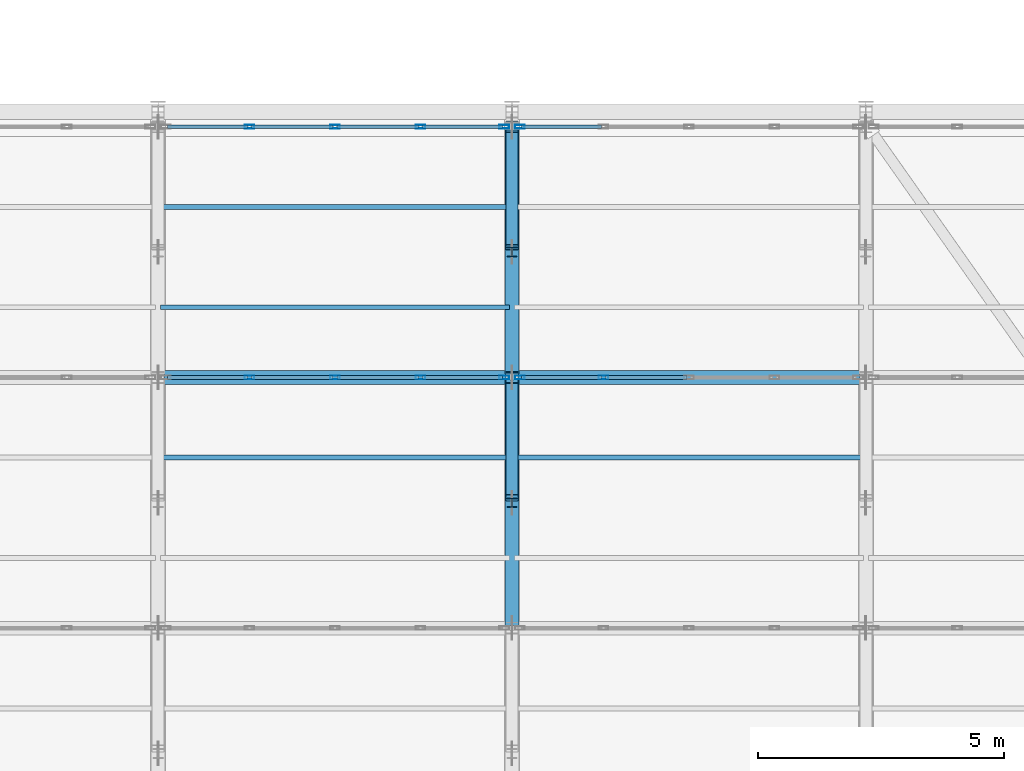
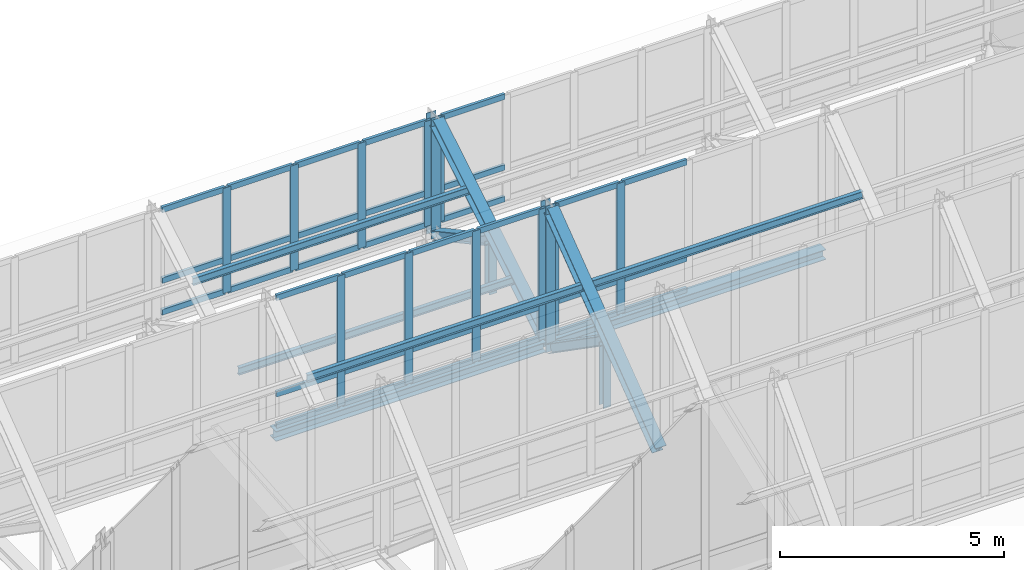
# One storey, part 68 of 157: 56 members, 2 beams, 4 elements without a shape of their own.
"""IFC4 building model written with IfcOpenShell, lengths in metres."""

from ifc_helpers import new_model, si_unit, direction, frame, origin, origin_2d, place, context, subcontext, project, spatial, hollow_rectangle, i_section, extrude, material, material_profile, profile_set, type_object, element, aggregate, save


model = new_model("IFC4")

# Units and contexts
model_context = context("Model", 3, precision=1e-05, world=origin(), true_north=direction((0.0, 1.0)))
body_context = subcontext(model_context, "Body", "Model", "MODEL_VIEW")
ifc_project = project(units=[si_unit("LENGTHUNIT", "METRE"), si_unit("AREAUNIT", "SQUARE_METRE"), si_unit("VOLUMEUNIT", "CUBIC_METRE"), si_unit("PLANEANGLEUNIT", "RADIAN"), si_unit("MASSUNIT", "GRAM", prefix="KILO")], contexts=[model_context])

# Site, building, storey
site_placement = place(None, origin())
site = spatial("IfcSite", under=ifc_project, at=site_placement, CompositionType="ELEMENT")
building_placement = place(site_placement, origin())
building = spatial("IfcBuilding", under=site, at=building_placement, Name="Suanplinth Sawtooth Commons", CompositionType="ELEMENT")
storey_placement = place(building_placement, frame((0.0, 0.0, 9.0)))
storey = spatial("IfcBuildingStorey", under=building, at=storey_placement, Name="L02", CompositionType="ELEMENT", Elevation=9.0)

# Beams
ifc_material_1 = material(Name="Steel S355JR", Category="steel")
ifc_material_profile_1 = material_profile(ifc_material_1, i_section(OverallWidth=0.280029296875, OverallDepth=0.27001953125, WebThickness=0.008056640625, FlangeThickness=0.012939453125, at=origin_2d()), Name="HEA 280")
ifc_profile_set_1 = profile_set([ifc_material_profile_1], Name="Steel S355JR")
beam_type = type_object("IfcBeamType", Name="B-16", PredefinedType="USERDEFINED", material=ifc_profile_set_1)
for number, where, z_axis, x_axis, name in (
    (1, (93.719970703125, 81.0, 2.820068359375), (1.0, 0.0, 0.0), (0.0, 1.0, 0.0), "Sawtooth Valley Girder T7-B5"),
    (2, (100.919921875, 81.0, 2.820068359375), (1.0, 0.0, 0.0), (0.0, 1.0, 0.0), "Sawtooth Valley Girder T7-B6"),
):
    element("IfcBeam", number, at=place(storey_placement, frame(where, z_axis=z_axis, x_axis=x_axis)), inside=storey, type_object=beam_type, Name=name, ObjectType="GIRDER", PredefinedType="USERDEFINED", context=body_context, shape_type="SweptSolid", body=[
        extrude(i_section(OverallWidth=0.280029296875, OverallDepth=0.27001953125, WebThickness=0.008056640625, FlangeThickness=0.012939453125, at=origin_2d()), origin(), (0.0, 0.0, 1.0), 6.9599609375),
    ])

# Members
ifc_material_profile_2 = material_profile(ifc_material_1, i_section(OverallWidth=0.280029296875, OverallDepth=0.280029296875, WebThickness=0.010498046875, FlangeThickness=0.01806640625, at=origin_2d()), Name="HEB 280")
ifc_profile_set_2 = profile_set([ifc_material_profile_2], Name="Steel S355JR")
member_type_1 = type_object("IfcMemberType", Name="M-02", PredefinedType="CHORD", material=ifc_profile_set_2)
member_1_placement = place(storey_placement, frame((100.800048828125, 76.0400390625, 2.919921875), z_axis=(0.0, 0.799596436712, 0.600537707723), x_axis=(-1.0, 0.0, 0.0)))
element("IfcMember", 3, at=member_1_placement, inside=storey, type_object=member_type_1, Name="Sawtooth Truss T6 Top Chord 6", PredefinedType="CHORD", context=body_context, shape_type="SweptSolid", body=[
    extrude(i_section(OverallWidth=0.280029296875, OverallDepth=0.280029296875, WebThickness=0.010498046875, FlangeThickness=0.01806640625, at=origin_2d()), origin(), (0.0, 0.0, 1.0), 6.028076171875),
])
member_2_placement = place(storey_placement, frame((100.800048828125, 81.139892578125, 2.919921875), z_axis=(0.0, 0.855283356021, 0.51816057445), x_axis=(-1.0, 0.0, 0.0)))
element("IfcMember", 4, at=member_2_placement, inside=storey, type_object=member_type_1, Name="Sawtooth Truss T6 Top Chord 7", PredefinedType="CHORD", context=body_context, shape_type="SweptSolid", body=[
    extrude(i_section(OverallWidth=0.280029296875, OverallDepth=0.280029296875, WebThickness=0.010498046875, FlangeThickness=0.01806640625, at=origin_2d()), origin(), (0.0, 0.0, 1.0), 5.6357421875),
])
ifc_material_profile_3 = material_profile(ifc_material_1, i_section(OverallWidth=0.239990234375, OverallDepth=0.22998046875, WebThickness=0.007568359375, FlangeThickness=0.011962890625, at=origin_2d()), Name="HEA 240")
ifc_profile_set_3 = profile_set([ifc_material_profile_3], Name="Steel S355JR")
member_type_2 = type_object("IfcMemberType", Name="M-03", PredefinedType="BRACE", material=ifc_profile_set_3)
member_3_placement = place(storey_placement, frame((100.800048828125, 78.550048828125, 4.3701171875), z_axis=(0.0, 0.821010399862, -0.570913236245), x_axis=(-1.0, 0.0, 0.0)))
element("IfcMember", 5, at=member_3_placement, inside=storey, type_object=member_type_2, Name="Sawtooth Truss T6 Web Diagonal 6", PredefinedType="BRACE", context=body_context, shape_type="SweptSolid", body=[
    extrude(i_section(OverallWidth=0.239990234375, OverallDepth=0.22998046875, WebThickness=0.007568359375, FlangeThickness=0.011962890625, at=origin_2d()), origin(), (0.0, 0.0, 1.0), 2.837646484375),
])
member_4_placement = place(storey_placement, frame((100.800048828125, 83.64990234375, 4.02001953125), z_axis=(0.0, 0.878043199154, -0.478581383277), x_axis=(-1.0, 0.0, 0.0)))
element("IfcMember", 6, at=member_4_placement, inside=storey, type_object=member_type_2, Name="Sawtooth Truss T6 Web Diagonal 7", PredefinedType="BRACE", context=body_context, shape_type="SweptSolid", body=[
    extrude(i_section(OverallWidth=0.239990234375, OverallDepth=0.22998046875, WebThickness=0.007568359375, FlangeThickness=0.011962890625, at=origin_2d()), origin(), (0.0, 0.0, 1.0), 2.65380859375),
])
ifc_material_profile_4 = material_profile(ifc_material_1, i_section(OverallWidth=0.199951171875, OverallDepth=0.18994140625, WebThickness=0.006591796875, FlangeThickness=0.010009765625, at=origin_2d()), Name="HEA 200")
ifc_profile_set_4 = profile_set([ifc_material_profile_4], Name="Steel S355JR")
member_type_3 = type_object("IfcMemberType", Name="M-04", PredefinedType="BRACE", material=ifc_profile_set_4)
member_5_placement = place(storey_placement, frame((100.800048828125, 78.449951171875, 2.64990234375), z_axis=(0.0, 0.0, 1.0), x_axis=(1.0, 0.0, 0.0)))
element("IfcMember", 7, at=member_5_placement, inside=storey, type_object=member_type_3, Name="Sawtooth Truss T6 Mid Web Post 6", PredefinedType="BRACE", context=body_context, shape_type="SweptSolid", body=[
    extrude(i_section(OverallWidth=0.199951171875, OverallDepth=0.18994140625, WebThickness=0.006591796875, FlangeThickness=0.010009765625, at=origin_2d()), origin(), (0.0, 0.0, 1.0), 1.7001953125),
])
member_6_placement = place(storey_placement, frame((100.800048828125, 83.550048828125, 2.64990234375), z_axis=(0.0, 0.0, 1.0), x_axis=(1.0, 0.0, 0.0)))
element("IfcMember", 8, at=member_6_placement, inside=storey, type_object=member_type_3, Name="Sawtooth Truss T6 Mid Web Post 7", PredefinedType="BRACE", context=body_context, shape_type="SweptSolid", body=[
    extrude(i_section(OverallWidth=0.199951171875, OverallDepth=0.18994140625, WebThickness=0.006591796875, FlangeThickness=0.010009765625, at=origin_2d()), origin(), (0.0, 0.0, 1.0), 1.35009765625),
])
ifc_material_profile_5 = material_profile(ifc_material_1, i_section(OverallWidth=0.239990234375, OverallDepth=0.239990234375, WebThickness=0.010009765625, FlangeThickness=0.01708984375, at=origin_2d()), Name="HEB 240")
ifc_profile_set_5 = profile_set([ifc_material_profile_5], Name="Steel S355JR")
member_type_4 = type_object("IfcMemberType", Name="M-05", PredefinedType="POST", material=ifc_profile_set_5)
member_7_placement = place(storey_placement, frame((100.800048828125, 81.0, 2.64990234375), z_axis=(0.0, 0.0, 1.0), x_axis=(1.0, 0.0, 0.0)))
element("IfcMember", 9, at=member_7_placement, inside=storey, type_object=member_type_4, Name="Sawtooth Truss T6 Clerestory Post 6", PredefinedType="POST", context=body_context, shape_type="SweptSolid", body=[
    extrude(i_section(OverallWidth=0.239990234375, OverallDepth=0.239990234375, WebThickness=0.010009765625, FlangeThickness=0.01708984375, at=origin_2d()), origin(), (0.0, 0.0, 1.0), 3.989990234375),
])
member_8_placement = place(storey_placement, frame((100.800048828125, 86.10009765625, 2.64990234375), z_axis=(0.0, 0.0, 1.0), x_axis=(1.0, 0.0, 0.0)))
element("IfcMember", 10, at=member_8_placement, inside=storey, type_object=member_type_4, Name="Sawtooth Truss T6 Clerestory Post 7", PredefinedType="POST", context=body_context, shape_type="SweptSolid", body=[
    extrude(i_section(OverallWidth=0.239990234375, OverallDepth=0.239990234375, WebThickness=0.010009765625, FlangeThickness=0.01708984375, at=origin_2d()), origin(), (0.0, 0.0, 1.0), 3.2900390625),
])
ifc_material_2 = material(Name="Steel SS400", Category="steel")
ifc_material_profile_6 = material_profile(ifc_material_2, i_section(OverallWidth=0.10009765625, OverallDepth=0.199951171875, WebThickness=0.005615234375, FlangeThickness=0.008544921875, at=origin_2d()), Name="IPE 200")
ifc_profile_set_6 = profile_set([ifc_material_profile_6], Name="Steel SS400")
member_type_5 = type_object("IfcMemberType", Name="M-06", PredefinedType="PURLIN", material=ifc_profile_set_6)
member_9_placement = place(storey_placement, frame((93.64990234375, 79.367919921875, 5.353515625), z_axis=(1.0, 0.0, 0.0), x_axis=(0.0, 1.0, 0.0)))
element("IfcMember", 11, at=member_9_placement, inside=storey, type_object=member_type_5, Name="Sawtooth Roof Purlin T6-B5-P2", PredefinedType="PURLIN", context=body_context, shape_type="SweptSolid", body=[
    extrude(i_section(OverallWidth=0.10009765625, OverallDepth=0.199951171875, WebThickness=0.005615234375, FlangeThickness=0.008544921875, at=origin_2d()), origin(), (0.0, 0.0, 1.0), 7.10009765625),
])
member_10_placement = place(storey_placement, frame((100.85009765625, 79.367919921875, 5.353515625), z_axis=(1.0, 0.0, 0.0), x_axis=(0.0, 1.0, 0.0)))
element("IfcMember", 12, at=member_10_placement, inside=storey, type_object=member_type_5, Name="Sawtooth Roof Purlin T6-B6-P2", PredefinedType="PURLIN", context=body_context, shape_type="SweptSolid", body=[
    extrude(i_section(OverallWidth=0.10009765625, OverallDepth=0.199951171875, WebThickness=0.005615234375, FlangeThickness=0.008544921875, at=origin_2d()), origin(), (0.0, 0.0, 1.0), 7.099853515625),
])
for number, where, z_axis, x_axis, name in (
    (13, (93.64990234375, 82.427978515625, 3.691162109375), (1.0, 0.0, 0.0), (0.0, 1.0, 0.0), "Sawtooth Roof Purlin T7-B5-P1"),
    (14, (93.64990234375, 84.468017578125, 4.89111328125), (1.0, 0.0, 0.0), (0.0, 1.0, 0.0), "Sawtooth Roof Purlin T7-B5-P2"),
):
    element("IfcMember", number, at=place(storey_placement, frame(where, z_axis=z_axis, x_axis=x_axis)), inside=storey, type_object=member_type_5, Name=name, PredefinedType="PURLIN", context=body_context, shape_type="SweptSolid", body=[
        extrude(i_section(OverallWidth=0.10009765625, OverallDepth=0.199951171875, WebThickness=0.005615234375, FlangeThickness=0.008544921875, at=origin_2d()), origin(), (0.0, 0.0, 1.0), 7.10009765625),
    ])

# Curtain wall, members
ifc_material_3 = material(Name="Anodized aluminium and low-E glazing", Category="aluminium")
curtain_wall_type = type_object("IfcCurtainWallType", Name="CW-03", PredefinedType="USERDEFINED", material=ifc_material_3)
curtain_wall_1_placement = place(storey_placement, origin())
curtain_wall_1 = element("IfcCurtainWall", 15, at=curtain_wall_1_placement, inside=storey, type_object=curtain_wall_type, Name="Curtain Wall CW-SAW-T6-B5", ObjectType="CURTAIN WALL", PredefinedType="USERDEFINED")
ifc_material_4 = material(Name="Anodized aluminium 6063-T6", Category="aluminium")
ifc_material_profile_7 = material_profile(ifc_material_4, hollow_rectangle(XDim=0.074951171875, YDim=0.199951171875, WallThickness=0.0048828125, at=origin_2d()), Name="ALU-MUL 75x200")
ifc_profile_set_7 = profile_set([ifc_material_profile_7], Name="Anodized aluminium 6063-T6")
member_type_6 = type_object("IfcMemberType", Name="M-14", PredefinedType="MULLION", material=ifc_profile_set_7)
member_11_placement = place(storey_placement, frame((95.4599609375, 81.0, 2.97998046875), z_axis=(0.0, 0.0, 1.0), x_axis=(0.0, 1.0, 0.0)))
member_11 = element("IfcMember", 16, at=member_11_placement, type_object=member_type_6, Name="CW-03 mullion 2", PredefinedType="MULLION", context=body_context, shape_type="SweptSolid", body=[
    extrude(hollow_rectangle(XDim=0.074951171875, YDim=0.199951171875, WallThickness=0.0048828125, at=origin_2d()), origin(), (0.0, 0.0, 1.0), 3.56005859375),
])
member_12_placement = place(storey_placement, frame((97.199951171875, 81.0, 2.97998046875), z_axis=(0.0, 0.0, 1.0), x_axis=(0.0, 1.0, 0.0)))
member_12 = element("IfcMember", 17, at=member_12_placement, type_object=member_type_6, Name="CW-03 mullion 3", PredefinedType="MULLION", context=body_context, shape_type="SweptSolid", body=[
    extrude(hollow_rectangle(XDim=0.074951171875, YDim=0.199951171875, WallThickness=0.0048828125, at=origin_2d()), origin(), (0.0, 0.0, 1.0), 3.56005859375),
])
member_13_placement = place(storey_placement, frame((98.93994140625, 81.0, 2.97998046875), z_axis=(0.0, 0.0, 1.0), x_axis=(0.0, 1.0, 0.0)))
member_13 = element("IfcMember", 18, at=member_13_placement, type_object=member_type_6, Name="CW-03 mullion 4", PredefinedType="MULLION", context=body_context, shape_type="SweptSolid", body=[
    extrude(hollow_rectangle(XDim=0.074951171875, YDim=0.199951171875, WallThickness=0.0048828125, at=origin_2d()), origin(), (0.0, 0.0, 1.0), 3.56005859375),
])
member_14_placement = place(storey_placement, frame((100.642578125, 81.0, 2.97998046875), z_axis=(0.0, 0.0, 1.0), x_axis=(0.0, 1.0, 0.0)))
member_14 = element("IfcMember", 19, at=member_14_placement, type_object=member_type_6, Name="CW-03 mullion 5", PredefinedType="MULLION", context=body_context, shape_type="SweptSolid", body=[
    extrude(hollow_rectangle(XDim=0.074951171875, YDim=0.199951171875, WallThickness=0.0048828125, at=origin_2d()), origin(), (0.0, 0.0, 1.0), 3.56005859375),
])

curtain_wall_2_placement = place(storey_placement, origin())
curtain_wall_2 = element("IfcCurtainWall", 20, at=curtain_wall_2_placement, inside=storey, type_object=curtain_wall_type, Name="Curtain Wall CW-SAW-T6-B6", ObjectType="CURTAIN WALL", PredefinedType="USERDEFINED")
member_15_placement = place(storey_placement, frame((100.95751953125, 81.0, 2.97998046875), z_axis=(0.0, 0.0, 1.0), x_axis=(0.0, 1.0, 0.0)))
member_15 = element("IfcMember", 21, at=member_15_placement, type_object=member_type_6, Name="CW-03 mullion 1", PredefinedType="MULLION", context=body_context, shape_type="SweptSolid", body=[
    extrude(hollow_rectangle(XDim=0.074951171875, YDim=0.199951171875, WallThickness=0.0048828125, at=origin_2d()), origin(), (0.0, 0.0, 1.0), 3.56005859375),
])
member_16_placement = place(storey_placement, frame((102.659912109375, 81.0, 2.97998046875), z_axis=(0.0, 0.0, 1.0), x_axis=(0.0, 1.0, 0.0)))
member_16 = element("IfcMember", 22, at=member_16_placement, type_object=member_type_6, Name="CW-03 mullion 2", PredefinedType="MULLION", context=body_context, shape_type="SweptSolid", body=[
    extrude(hollow_rectangle(XDim=0.074951171875, YDim=0.199951171875, WallThickness=0.0048828125, at=origin_2d()), origin(), (0.0, 0.0, 1.0), 3.56005859375),
])

curtain_wall_3_placement = place(storey_placement, origin())
curtain_wall_3 = element("IfcCurtainWall", 23, at=curtain_wall_3_placement, inside=storey, type_object=curtain_wall_type, Name="Curtain Wall CW-SAW-T7-B5", ObjectType="CURTAIN WALL", PredefinedType="USERDEFINED")
member_17_placement = place(storey_placement, frame((95.4599609375, 86.10009765625, 2.97998046875), z_axis=(0.0, 0.0, 1.0), x_axis=(0.0, 1.0, 0.0)))
member_17 = element("IfcMember", 24, at=member_17_placement, type_object=member_type_6, Name="CW-03 mullion 2", PredefinedType="MULLION", context=body_context, shape_type="SweptSolid", body=[
    extrude(hollow_rectangle(XDim=0.074951171875, YDim=0.199951171875, WallThickness=0.0048828125, at=origin_2d()), origin(), (0.0, 0.0, 1.0), 2.860107421875),
])
member_18_placement = place(storey_placement, frame((97.199951171875, 86.10009765625, 2.97998046875), z_axis=(0.0, 0.0, 1.0), x_axis=(0.0, 1.0, 0.0)))
member_18 = element("IfcMember", 25, at=member_18_placement, type_object=member_type_6, Name="CW-03 mullion 3", PredefinedType="MULLION", context=body_context, shape_type="SweptSolid", body=[
    extrude(hollow_rectangle(XDim=0.074951171875, YDim=0.199951171875, WallThickness=0.0048828125, at=origin_2d()), origin(), (0.0, 0.0, 1.0), 2.860107421875),
])
member_19_placement = place(storey_placement, frame((98.93994140625, 86.10009765625, 2.97998046875), z_axis=(0.0, 0.0, 1.0), x_axis=(0.0, 1.0, 0.0)))
member_19 = element("IfcMember", 26, at=member_19_placement, type_object=member_type_6, Name="CW-03 mullion 4", PredefinedType="MULLION", context=body_context, shape_type="SweptSolid", body=[
    extrude(hollow_rectangle(XDim=0.074951171875, YDim=0.199951171875, WallThickness=0.0048828125, at=origin_2d()), origin(), (0.0, 0.0, 1.0), 2.860107421875),
])
member_20_placement = place(storey_placement, frame((100.642578125, 86.10009765625, 2.97998046875), z_axis=(0.0, 0.0, 1.0), x_axis=(0.0, 1.0, 0.0)))
member_20 = element("IfcMember", 27, at=member_20_placement, type_object=member_type_6, Name="CW-03 mullion 5", PredefinedType="MULLION", context=body_context, shape_type="SweptSolid", body=[
    extrude(hollow_rectangle(XDim=0.074951171875, YDim=0.199951171875, WallThickness=0.0048828125, at=origin_2d()), origin(), (0.0, 0.0, 1.0), 2.860107421875),
])

# Curtain wall, member
curtain_wall_4_placement = place(storey_placement, origin())
curtain_wall_4 = element("IfcCurtainWall", 28, at=curtain_wall_4_placement, inside=storey, type_object=curtain_wall_type, Name="Curtain Wall CW-SAW-T7-B6", ObjectType="CURTAIN WALL", PredefinedType="USERDEFINED")
member_21_placement = place(storey_placement, frame((100.95751953125, 86.10009765625, 2.97998046875), z_axis=(0.0, 0.0, 1.0), x_axis=(0.0, 1.0, 0.0)))
member_21 = element("IfcMember", 29, at=member_21_placement, type_object=member_type_6, Name="CW-03 mullion 1", PredefinedType="MULLION", context=body_context, shape_type="SweptSolid", body=[
    extrude(hollow_rectangle(XDim=0.074951171875, YDim=0.199951171875, WallThickness=0.0048828125, at=origin_2d()), origin(), (0.0, 0.0, 1.0), 2.860107421875),
])

# Member
ifc_material_profile_8 = material_profile(ifc_material_4, hollow_rectangle(XDim=0.074951171875, YDim=0.14990234375, WallThickness=0.00439453125, at=origin_2d()), Name="ALU-TRN 75x150")
ifc_profile_set_8 = profile_set([ifc_material_profile_8], Name="Anodized aluminium 6063-T6")
member_type_7 = type_object("IfcMemberType", Name="M-16", PredefinedType="USERDEFINED", material=ifc_profile_set_8)
member_22_placement = place(storey_placement, frame((93.794921875, 81.0, 3.017578125), z_axis=(1.0, 0.0, 0.0), x_axis=(0.0, 1.0, 0.0)))
member_22 = element("IfcMember", 30, at=member_22_placement, type_object=member_type_7, Name="CW-03 transom 1.1", ObjectType="TRANSOM", PredefinedType="USERDEFINED", context=body_context, shape_type="SweptSolid", body=[
    extrude(hollow_rectangle(XDim=0.074951171875, YDim=0.14990234375, WallThickness=0.00439453125, at=origin_2d()), origin(), (0.0, 0.0, 1.0), 1.627685546875),
])

member_23_placement = place(storey_placement, frame((93.794921875, 81.0, 3.8798828125), z_axis=(1.0, 0.0, 0.0), x_axis=(0.0, 1.0, 0.0)))
member_23 = element("IfcMember", 31, at=member_23_placement, type_object=member_type_7, Name="CW-03 transom 1.2", ObjectType="TRANSOM", PredefinedType="USERDEFINED", context=body_context, shape_type="SweptSolid", body=[
    extrude(hollow_rectangle(XDim=0.074951171875, YDim=0.14990234375, WallThickness=0.00439453125, at=origin_2d()), origin(), (0.0, 0.0, 1.0), 1.627685546875),
])

member_24_placement = place(storey_placement, frame((93.794921875, 81.0, 6.50244140625), z_axis=(1.0, 0.0, 0.0), x_axis=(0.0, 1.0, 0.0)))
member_24 = element("IfcMember", 32, at=member_24_placement, type_object=member_type_7, Name="CW-03 transom 1.3", ObjectType="TRANSOM", PredefinedType="USERDEFINED", context=body_context, shape_type="SweptSolid", body=[
    extrude(hollow_rectangle(XDim=0.074951171875, YDim=0.14990234375, WallThickness=0.00439453125, at=origin_2d()), origin(), (0.0, 0.0, 1.0), 1.627685546875),
])

member_25_placement = place(storey_placement, frame((95.49755859375, 81.0, 3.017578125), z_axis=(1.0, 0.0, 0.0), x_axis=(0.0, 1.0, 0.0)))
member_25 = element("IfcMember", 33, at=member_25_placement, type_object=member_type_7, Name="CW-03 transom 2.1", ObjectType="TRANSOM", PredefinedType="USERDEFINED", context=body_context, shape_type="SweptSolid", body=[
    extrude(hollow_rectangle(XDim=0.074951171875, YDim=0.14990234375, WallThickness=0.00439453125, at=origin_2d()), origin(), (0.0, 0.0, 1.0), 1.6650390625),
])

member_26_placement = place(storey_placement, frame((95.49755859375, 81.0, 3.8798828125), z_axis=(1.0, 0.0, 0.0), x_axis=(0.0, 1.0, 0.0)))
member_26 = element("IfcMember", 34, at=member_26_placement, type_object=member_type_7, Name="CW-03 transom 2.2", ObjectType="TRANSOM", PredefinedType="USERDEFINED", context=body_context, shape_type="SweptSolid", body=[
    extrude(hollow_rectangle(XDim=0.074951171875, YDim=0.14990234375, WallThickness=0.00439453125, at=origin_2d()), origin(), (0.0, 0.0, 1.0), 1.6650390625),
])

member_27_placement = place(storey_placement, frame((95.49755859375, 81.0, 6.50244140625), z_axis=(1.0, 0.0, 0.0), x_axis=(0.0, 1.0, 0.0)))
member_27 = element("IfcMember", 35, at=member_27_placement, type_object=member_type_7, Name="CW-03 transom 2.3", ObjectType="TRANSOM", PredefinedType="USERDEFINED", context=body_context, shape_type="SweptSolid", body=[
    extrude(hollow_rectangle(XDim=0.074951171875, YDim=0.14990234375, WallThickness=0.00439453125, at=origin_2d()), origin(), (0.0, 0.0, 1.0), 1.6650390625),
])

member_28_placement = place(storey_placement, frame((97.237548828125, 81.0, 3.017578125), z_axis=(1.0, 0.0, 0.0), x_axis=(0.0, 1.0, 0.0)))
member_28 = element("IfcMember", 36, at=member_28_placement, type_object=member_type_7, Name="CW-03 transom 3.1", ObjectType="TRANSOM", PredefinedType="USERDEFINED", context=body_context, shape_type="SweptSolid", body=[
    extrude(hollow_rectangle(XDim=0.074951171875, YDim=0.14990234375, WallThickness=0.00439453125, at=origin_2d()), origin(), (0.0, 0.0, 1.0), 1.6650390625),
])

member_29_placement = place(storey_placement, frame((97.237548828125, 81.0, 3.8798828125), z_axis=(1.0, 0.0, 0.0), x_axis=(0.0, 1.0, 0.0)))
member_29 = element("IfcMember", 37, at=member_29_placement, type_object=member_type_7, Name="CW-03 transom 3.2", ObjectType="TRANSOM", PredefinedType="USERDEFINED", context=body_context, shape_type="SweptSolid", body=[
    extrude(hollow_rectangle(XDim=0.074951171875, YDim=0.14990234375, WallThickness=0.00439453125, at=origin_2d()), origin(), (0.0, 0.0, 1.0), 1.6650390625),
])

member_30_placement = place(storey_placement, frame((97.237548828125, 81.0, 6.50244140625), z_axis=(1.0, 0.0, 0.0), x_axis=(0.0, 1.0, 0.0)))
member_30 = element("IfcMember", 38, at=member_30_placement, type_object=member_type_7, Name="CW-03 transom 3.3", ObjectType="TRANSOM", PredefinedType="USERDEFINED", context=body_context, shape_type="SweptSolid", body=[
    extrude(hollow_rectangle(XDim=0.074951171875, YDim=0.14990234375, WallThickness=0.00439453125, at=origin_2d()), origin(), (0.0, 0.0, 1.0), 1.6650390625),
])

member_31_placement = place(storey_placement, frame((98.9775390625, 81.0, 3.017578125), z_axis=(1.0, 0.0, 0.0), x_axis=(0.0, 1.0, 0.0)))
member_31 = element("IfcMember", 39, at=member_31_placement, type_object=member_type_7, Name="CW-03 transom 4.1", ObjectType="TRANSOM", PredefinedType="USERDEFINED", context=body_context, shape_type="SweptSolid", body=[
    extrude(hollow_rectangle(XDim=0.074951171875, YDim=0.14990234375, WallThickness=0.00439453125, at=origin_2d()), origin(), (0.0, 0.0, 1.0), 1.62744140625),
])

member_32_placement = place(storey_placement, frame((98.9775390625, 81.0, 3.8798828125), z_axis=(1.0, 0.0, 0.0), x_axis=(0.0, 1.0, 0.0)))
member_32 = element("IfcMember", 40, at=member_32_placement, type_object=member_type_7, Name="CW-03 transom 4.2", ObjectType="TRANSOM", PredefinedType="USERDEFINED", context=body_context, shape_type="SweptSolid", body=[
    extrude(hollow_rectangle(XDim=0.074951171875, YDim=0.14990234375, WallThickness=0.00439453125, at=origin_2d()), origin(), (0.0, 0.0, 1.0), 1.62744140625),
])

member_33_placement = place(storey_placement, frame((98.9775390625, 81.0, 6.50244140625), z_axis=(1.0, 0.0, 0.0), x_axis=(0.0, 1.0, 0.0)))
member_33 = element("IfcMember", 41, at=member_33_placement, type_object=member_type_7, Name="CW-03 transom 4.3", ObjectType="TRANSOM", PredefinedType="USERDEFINED", context=body_context, shape_type="SweptSolid", body=[
    extrude(hollow_rectangle(XDim=0.074951171875, YDim=0.14990234375, WallThickness=0.00439453125, at=origin_2d()), origin(), (0.0, 0.0, 1.0), 1.62744140625),
])

aggregate(curtain_wall_1, [member_11, member_12, member_13, member_14, member_22, member_23, member_24, member_25, member_26, member_27, member_28, member_29, member_30, member_31, member_32, member_33])

member_34_placement = place(storey_placement, frame((100.9951171875, 81.0, 3.017578125), z_axis=(1.0, 0.0, 0.0), x_axis=(0.0, 1.0, 0.0)))
member_34 = element("IfcMember", 42, at=member_34_placement, type_object=member_type_7, Name="CW-03 transom 1.1", ObjectType="TRANSOM", PredefinedType="USERDEFINED", context=body_context, shape_type="SweptSolid", body=[
    extrude(hollow_rectangle(XDim=0.074951171875, YDim=0.14990234375, WallThickness=0.00439453125, at=origin_2d()), origin(), (0.0, 0.0, 1.0), 1.62744140625),
])

member_35_placement = place(storey_placement, frame((100.9951171875, 81.0, 3.8798828125), z_axis=(1.0, 0.0, 0.0), x_axis=(0.0, 1.0, 0.0)))
member_35 = element("IfcMember", 43, at=member_35_placement, type_object=member_type_7, Name="CW-03 transom 1.2", ObjectType="TRANSOM", PredefinedType="USERDEFINED", context=body_context, shape_type="SweptSolid", body=[
    extrude(hollow_rectangle(XDim=0.074951171875, YDim=0.14990234375, WallThickness=0.00439453125, at=origin_2d()), origin(), (0.0, 0.0, 1.0), 1.62744140625),
])

member_36_placement = place(storey_placement, frame((100.9951171875, 81.0, 6.50244140625), z_axis=(1.0, 0.0, 0.0), x_axis=(0.0, 1.0, 0.0)))
member_36 = element("IfcMember", 44, at=member_36_placement, type_object=member_type_7, Name="CW-03 transom 1.3", ObjectType="TRANSOM", PredefinedType="USERDEFINED", context=body_context, shape_type="SweptSolid", body=[
    extrude(hollow_rectangle(XDim=0.074951171875, YDim=0.14990234375, WallThickness=0.00439453125, at=origin_2d()), origin(), (0.0, 0.0, 1.0), 1.62744140625),
])

member_37_placement = place(storey_placement, frame((102.697509765625, 81.0, 3.017578125), z_axis=(1.0, 0.0, 0.0), x_axis=(0.0, 1.0, 0.0)))
member_37 = element("IfcMember", 45, at=member_37_placement, type_object=member_type_7, Name="CW-03 transom 2.1", ObjectType="TRANSOM", PredefinedType="USERDEFINED", context=body_context, shape_type="SweptSolid", body=[
    extrude(hollow_rectangle(XDim=0.074951171875, YDim=0.14990234375, WallThickness=0.00439453125, at=origin_2d()), origin(), (0.0, 0.0, 1.0), 1.6650390625),
])

member_38_placement = place(storey_placement, frame((102.697509765625, 81.0, 3.8798828125), z_axis=(1.0, 0.0, 0.0), x_axis=(0.0, 1.0, 0.0)))
member_38 = element("IfcMember", 46, at=member_38_placement, type_object=member_type_7, Name="CW-03 transom 2.2", ObjectType="TRANSOM", PredefinedType="USERDEFINED", context=body_context, shape_type="SweptSolid", body=[
    extrude(hollow_rectangle(XDim=0.074951171875, YDim=0.14990234375, WallThickness=0.00439453125, at=origin_2d()), origin(), (0.0, 0.0, 1.0), 1.6650390625),
])

member_39_placement = place(storey_placement, frame((102.697509765625, 81.0, 6.50244140625), z_axis=(1.0, 0.0, 0.0), x_axis=(0.0, 1.0, 0.0)))
member_39 = element("IfcMember", 47, at=member_39_placement, type_object=member_type_7, Name="CW-03 transom 2.3", ObjectType="TRANSOM", PredefinedType="USERDEFINED", context=body_context, shape_type="SweptSolid", body=[
    extrude(hollow_rectangle(XDim=0.074951171875, YDim=0.14990234375, WallThickness=0.00439453125, at=origin_2d()), origin(), (0.0, 0.0, 1.0), 1.6650390625),
])

aggregate(curtain_wall_2, [member_15, member_16, member_34, member_35, member_36, member_37, member_38, member_39])

member_40_placement = place(storey_placement, frame((93.794921875, 86.10009765625, 3.017578125), z_axis=(1.0, 0.0, 0.0), x_axis=(0.0, 1.0, 0.0)))
member_40 = element("IfcMember", 48, at=member_40_placement, type_object=member_type_7, Name="CW-03 transom 1.1", ObjectType="TRANSOM", PredefinedType="USERDEFINED", context=body_context, shape_type="SweptSolid", body=[
    extrude(hollow_rectangle(XDim=0.074951171875, YDim=0.14990234375, WallThickness=0.00439453125, at=origin_2d()), origin(), (0.0, 0.0, 1.0), 1.627685546875),
])

member_41_placement = place(storey_placement, frame((93.794921875, 86.10009765625, 3.8798828125), z_axis=(1.0, 0.0, 0.0), x_axis=(0.0, 1.0, 0.0)))
member_41 = element("IfcMember", 49, at=member_41_placement, type_object=member_type_7, Name="CW-03 transom 1.2", ObjectType="TRANSOM", PredefinedType="USERDEFINED", context=body_context, shape_type="SweptSolid", body=[
    extrude(hollow_rectangle(XDim=0.074951171875, YDim=0.14990234375, WallThickness=0.00439453125, at=origin_2d()), origin(), (0.0, 0.0, 1.0), 1.627685546875),
])

member_42_placement = place(storey_placement, frame((93.794921875, 86.10009765625, 5.802490234375), z_axis=(1.0, 0.0, 0.0), x_axis=(0.0, 1.0, 0.0)))
member_42 = element("IfcMember", 50, at=member_42_placement, type_object=member_type_7, Name="CW-03 transom 1.3", ObjectType="TRANSOM", PredefinedType="USERDEFINED", context=body_context, shape_type="SweptSolid", body=[
    extrude(hollow_rectangle(XDim=0.074951171875, YDim=0.14990234375, WallThickness=0.00439453125, at=origin_2d()), origin(), (0.0, 0.0, 1.0), 1.627685546875),
])

member_43_placement = place(storey_placement, frame((95.49755859375, 86.10009765625, 3.017578125), z_axis=(1.0, 0.0, 0.0), x_axis=(0.0, 1.0, 0.0)))
member_43 = element("IfcMember", 51, at=member_43_placement, type_object=member_type_7, Name="CW-03 transom 2.1", ObjectType="TRANSOM", PredefinedType="USERDEFINED", context=body_context, shape_type="SweptSolid", body=[
    extrude(hollow_rectangle(XDim=0.074951171875, YDim=0.14990234375, WallThickness=0.00439453125, at=origin_2d()), origin(), (0.0, 0.0, 1.0), 1.6650390625),
])

member_44_placement = place(storey_placement, frame((95.49755859375, 86.10009765625, 3.8798828125), z_axis=(1.0, 0.0, 0.0), x_axis=(0.0, 1.0, 0.0)))
member_44 = element("IfcMember", 52, at=member_44_placement, type_object=member_type_7, Name="CW-03 transom 2.2", ObjectType="TRANSOM", PredefinedType="USERDEFINED", context=body_context, shape_type="SweptSolid", body=[
    extrude(hollow_rectangle(XDim=0.074951171875, YDim=0.14990234375, WallThickness=0.00439453125, at=origin_2d()), origin(), (0.0, 0.0, 1.0), 1.6650390625),
])

member_45_placement = place(storey_placement, frame((95.49755859375, 86.10009765625, 5.802490234375), z_axis=(1.0, 0.0, 0.0), x_axis=(0.0, 1.0, 0.0)))
member_45 = element("IfcMember", 53, at=member_45_placement, type_object=member_type_7, Name="CW-03 transom 2.3", ObjectType="TRANSOM", PredefinedType="USERDEFINED", context=body_context, shape_type="SweptSolid", body=[
    extrude(hollow_rectangle(XDim=0.074951171875, YDim=0.14990234375, WallThickness=0.00439453125, at=origin_2d()), origin(), (0.0, 0.0, 1.0), 1.6650390625),
])

member_46_placement = place(storey_placement, frame((97.237548828125, 86.10009765625, 3.017578125), z_axis=(1.0, 0.0, 0.0), x_axis=(0.0, 1.0, 0.0)))
member_46 = element("IfcMember", 54, at=member_46_placement, type_object=member_type_7, Name="CW-03 transom 3.1", ObjectType="TRANSOM", PredefinedType="USERDEFINED", context=body_context, shape_type="SweptSolid", body=[
    extrude(hollow_rectangle(XDim=0.074951171875, YDim=0.14990234375, WallThickness=0.00439453125, at=origin_2d()), origin(), (0.0, 0.0, 1.0), 1.6650390625),
])

member_47_placement = place(storey_placement, frame((97.237548828125, 86.10009765625, 3.8798828125), z_axis=(1.0, 0.0, 0.0), x_axis=(0.0, 1.0, 0.0)))
member_47 = element("IfcMember", 55, at=member_47_placement, type_object=member_type_7, Name="CW-03 transom 3.2", ObjectType="TRANSOM", PredefinedType="USERDEFINED", context=body_context, shape_type="SweptSolid", body=[
    extrude(hollow_rectangle(XDim=0.074951171875, YDim=0.14990234375, WallThickness=0.00439453125, at=origin_2d()), origin(), (0.0, 0.0, 1.0), 1.6650390625),
])

member_48_placement = place(storey_placement, frame((97.237548828125, 86.10009765625, 5.802490234375), z_axis=(1.0, 0.0, 0.0), x_axis=(0.0, 1.0, 0.0)))
member_48 = element("IfcMember", 56, at=member_48_placement, type_object=member_type_7, Name="CW-03 transom 3.3", ObjectType="TRANSOM", PredefinedType="USERDEFINED", context=body_context, shape_type="SweptSolid", body=[
    extrude(hollow_rectangle(XDim=0.074951171875, YDim=0.14990234375, WallThickness=0.00439453125, at=origin_2d()), origin(), (0.0, 0.0, 1.0), 1.6650390625),
])

member_49_placement = place(storey_placement, frame((98.9775390625, 86.10009765625, 3.017578125), z_axis=(1.0, 0.0, 0.0), x_axis=(0.0, 1.0, 0.0)))
member_49 = element("IfcMember", 57, at=member_49_placement, type_object=member_type_7, Name="CW-03 transom 4.1", ObjectType="TRANSOM", PredefinedType="USERDEFINED", context=body_context, shape_type="SweptSolid", body=[
    extrude(hollow_rectangle(XDim=0.074951171875, YDim=0.14990234375, WallThickness=0.00439453125, at=origin_2d()), origin(), (0.0, 0.0, 1.0), 1.62744140625),
])

member_50_placement = place(storey_placement, frame((98.9775390625, 86.10009765625, 3.8798828125), z_axis=(1.0, 0.0, 0.0), x_axis=(0.0, 1.0, 0.0)))
member_50 = element("IfcMember", 58, at=member_50_placement, type_object=member_type_7, Name="CW-03 transom 4.2", ObjectType="TRANSOM", PredefinedType="USERDEFINED", context=body_context, shape_type="SweptSolid", body=[
    extrude(hollow_rectangle(XDim=0.074951171875, YDim=0.14990234375, WallThickness=0.00439453125, at=origin_2d()), origin(), (0.0, 0.0, 1.0), 1.62744140625),
])

member_51_placement = place(storey_placement, frame((98.9775390625, 86.10009765625, 5.802490234375), z_axis=(1.0, 0.0, 0.0), x_axis=(0.0, 1.0, 0.0)))
member_51 = element("IfcMember", 59, at=member_51_placement, type_object=member_type_7, Name="CW-03 transom 4.3", ObjectType="TRANSOM", PredefinedType="USERDEFINED", context=body_context, shape_type="SweptSolid", body=[
    extrude(hollow_rectangle(XDim=0.074951171875, YDim=0.14990234375, WallThickness=0.00439453125, at=origin_2d()), origin(), (0.0, 0.0, 1.0), 1.62744140625),
])

aggregate(curtain_wall_3, [member_17, member_18, member_19, member_20, member_40, member_41, member_42, member_43, member_44, member_45, member_46, member_47, member_48, member_49, member_50, member_51])

member_52_placement = place(storey_placement, frame((100.9951171875, 86.10009765625, 3.017578125), z_axis=(1.0, 0.0, 0.0), x_axis=(0.0, 1.0, 0.0)))
member_52 = element("IfcMember", 60, at=member_52_placement, type_object=member_type_7, Name="CW-03 transom 1.1", ObjectType="TRANSOM", PredefinedType="USERDEFINED", context=body_context, shape_type="SweptSolid", body=[
    extrude(hollow_rectangle(XDim=0.074951171875, YDim=0.14990234375, WallThickness=0.00439453125, at=origin_2d()), origin(), (0.0, 0.0, 1.0), 1.62744140625),
])

member_53_placement = place(storey_placement, frame((100.9951171875, 86.10009765625, 3.8798828125), z_axis=(1.0, 0.0, 0.0), x_axis=(0.0, 1.0, 0.0)))
member_53 = element("IfcMember", 61, at=member_53_placement, type_object=member_type_7, Name="CW-03 transom 1.2", ObjectType="TRANSOM", PredefinedType="USERDEFINED", context=body_context, shape_type="SweptSolid", body=[
    extrude(hollow_rectangle(XDim=0.074951171875, YDim=0.14990234375, WallThickness=0.00439453125, at=origin_2d()), origin(), (0.0, 0.0, 1.0), 1.62744140625),
])

member_54_placement = place(storey_placement, frame((100.9951171875, 86.10009765625, 5.802490234375), z_axis=(1.0, 0.0, 0.0), x_axis=(0.0, 1.0, 0.0)))
member_54 = element("IfcMember", 62, at=member_54_placement, type_object=member_type_7, Name="CW-03 transom 1.3", ObjectType="TRANSOM", PredefinedType="USERDEFINED", context=body_context, shape_type="SweptSolid", body=[
    extrude(hollow_rectangle(XDim=0.074951171875, YDim=0.14990234375, WallThickness=0.00439453125, at=origin_2d()), origin(), (0.0, 0.0, 1.0), 1.62744140625),
])

aggregate(curtain_wall_4, [member_21, member_52, member_53, member_54])

save(model, "model.ifc")
